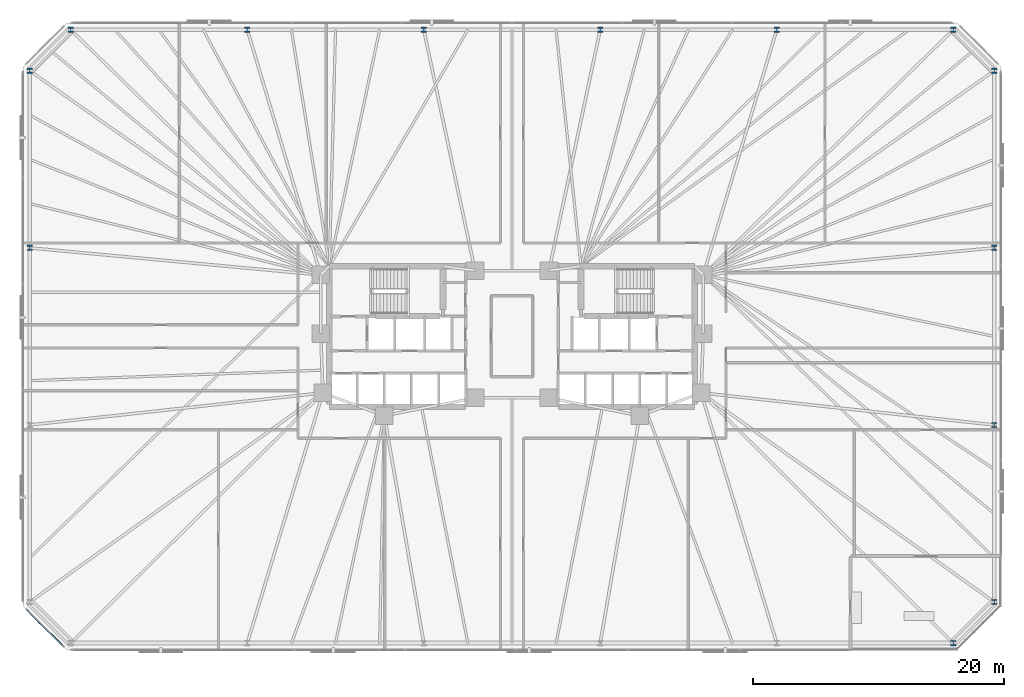
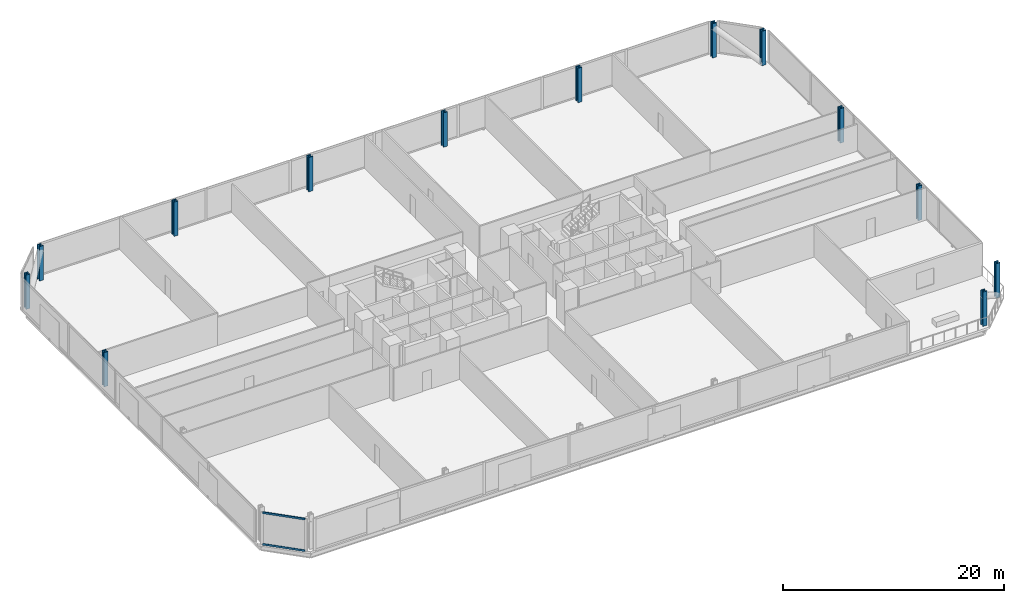
# One storey, part 5 of 17: 13 columns, 2 members, 1 element without a shape of its own.
"""IFC4 building model written with IfcOpenShell, lengths in metres."""

from ifc_helpers import new_model, si_unit, direction, frame, origin, origin_2d, place, context, subcontext, project, spatial, rectangle, i_section, extrude, material, material_profile, profile_set, type_object, element, aggregate, save


model = new_model("IFC4")

# Units and contexts
model_context = context("Model", 3, precision=1e-05, world=origin(), true_north=direction((0.0, 1.0)))
body_context = subcontext(model_context, "Body", "Model", "MODEL_VIEW")
ifc_project = project(units=[si_unit("LENGTHUNIT", "METRE"), si_unit("AREAUNIT", "SQUARE_METRE"), si_unit("VOLUMEUNIT", "CUBIC_METRE"), si_unit("PLANEANGLEUNIT", "RADIAN"), si_unit("MASSUNIT", "GRAM", prefix="KILO")], contexts=[model_context])

# Site, building, storey
site_placement = place(None, origin())
site = spatial("IfcSite", under=ifc_project, at=site_placement, CompositionType="ELEMENT")
building_placement = place(site_placement, origin())
building = spatial("IfcBuilding", under=site, at=building_placement, Name="Menara Jurai Vektor", CompositionType="ELEMENT")
storey_placement = place(building_placement, frame((0.0, 0.0, 44.60009765625)))
storey = spatial("IfcBuildingStorey", under=building, at=storey_placement, Name="L10", CompositionType="ELEMENT", Elevation=44.60009765625)

# Columns
ifc_material_1 = material(Name="Steel S460", Category="steel")
ifc_material_profile_1 = material_profile(ifc_material_1, i_section(OverallWidth=0.419921875, OverallDepth=0.430908203125, WebThickness=0.06494140625, FlangeThickness=0.10595703125, FilletRadius=0.014892578125, at=origin_2d()), Name="HD 400x900")
ifc_profile_set_1 = profile_set([ifc_material_profile_1], Name="Steel S460")
column_type = type_object("IfcColumnType", Name="STR-EXO-BLK1", PredefinedType="COLUMN", material=ifc_profile_set_1)
for number, where, z_axis, x_axis, name in (
    (1, (35.177734375, -24.449951171875, 0.0), (0.0, 0.0, 1.0), (1.0, 0.0, 0.0), "Exoskeleton Column BLK1-S6 L10"),
    (2, (38.449951171875, -21.177734375, 0.0), (0.0, 0.0, 1.0), (1.0, 0.0, 0.0), "Exoskeleton Column BLK1-E1 L10"),
    (3, (38.449951171875, -7.059326171875, 0.0), (0.0, 0.0, 1.0), (1.0, 0.0, 0.0), "Exoskeleton Column BLK1-E2 L10"),
    (4, (38.449951171875, 7.059326171875, 0.0), (0.0, 0.0, 1.0), (1.0, 0.0, 0.0), "Exoskeleton Column BLK1-E3 L10"),
    (5, (38.449951171875, 21.177734375, 0.0), (0.0, 0.0, 1.0), (1.0, 0.0, 0.0), "Exoskeleton Column BLK1-E4 L10"),
    (6, (35.177734375, 24.449951171875, 0.0), (0.0, 0.0, 1.0), (1.0, 0.0, 0.0), "Exoskeleton Column BLK1-N1 L10"),
    (7, (21.106689453125, 24.449951171875, 0.0), (0.0, 0.0, 1.0), (1.0, 0.0, 0.0), "Exoskeleton Column BLK1-N2 L10"),
    (8, (7.03564453125, 24.449951171875, 0.0), (0.0, 0.0, 1.0), (1.0, 0.0, 0.0), "Exoskeleton Column BLK1-N3 L10"),
    (9, (-7.03564453125, 24.449951171875, 0.0), (0.0, 0.0, 1.0), (1.0, 0.0, 0.0), "Exoskeleton Column BLK1-N4 L10"),
    (10, (-21.106689453125, 24.449951171875, 0.0), (0.0, 0.0, 1.0), (1.0, 0.0, 0.0), "Exoskeleton Column BLK1-N5 L10"),
    (11, (-35.177734375, 24.449951171875, 0.0), (0.0, 0.0, 1.0), (1.0, 0.0, 0.0), "Exoskeleton Column BLK1-N6 L10"),
    (12, (-38.449951171875, 21.177734375, 0.0), (0.0, 0.0, 1.0), (1.0, 0.0, 0.0), "Exoskeleton Column BLK1-W1 L10"),
    (13, (-38.449951171875, 7.059326171875, 0.0), (0.0, 0.0, 1.0), (1.0, 0.0, 0.0), "Exoskeleton Column BLK1-W2 L10"),
):
    element("IfcColumn", number, at=place(storey_placement, frame(where, z_axis=z_axis, x_axis=x_axis)), inside=storey, type_object=column_type, Name=name, PredefinedType="COLUMN", context=body_context, shape_type="SweptSolid", body=[
        extrude(i_section(OverallWidth=0.419921875, OverallDepth=0.430908203125, WebThickness=0.06494140625, FlangeThickness=0.10595703125, FilletRadius=0.014892578125, at=origin_2d()), origin(), (0.0, 0.0, 1.0), 3.7998046875),
    ])

# Curtain wall, members
ifc_material_2 = material(Name="Anodised Pale Aluminium & Low-E Double Glazing", Category="aluminium")
curtain_wall_type = type_object("IfcCurtainWallType", Name="CW-BLK1", PredefinedType="NOTDEFINED", material=ifc_material_2)
curtain_wall_placement = place(storey_placement, origin())
curtain_wall = element("IfcCurtainWall", 14, at=curtain_wall_placement, inside=storey, type_object=curtain_wall_type, Name="Unitised Curtain Wall L10 F08", PredefinedType="NOTDEFINED")
ifc_material_3 = material(Name="Anodised Pale Aluminium Transom", Category="aluminium")
ifc_material_profile_2 = material_profile(ifc_material_3, rectangle(XDim=0.094970703125, YDim=0.199951171875, at=origin_2d()), Name="ALU TRN 95x200")
ifc_profile_set_2 = profile_set([ifc_material_profile_2], Name="Anodised Pale Aluminium Transom")
member_type = type_object("IfcMemberType", Name="CW-BLK1-TRN", PredefinedType="USERDEFINED", material=ifc_profile_set_2)
member_1_placement = place(storey_placement, frame((-38.6640625, -21.8359375, 0.04736328125), z_axis=(0.707106781187, -0.707106781187, 0.0), x_axis=(0.707106781187, 0.707106781187, 0.0)))
member_1 = element("IfcMember", 15, at=member_1_placement, type_object=member_type, Name="CW-01 transom 1.1", ObjectType="TRANSOM", PredefinedType="USERDEFINED", context=body_context, shape_type="SweptSolid", body=[
    extrude(rectangle(XDim=0.094970703125, YDim=0.199951171875, at=origin_2d()), origin(), (0.0, 0.0, 1.0), 3.99951171875),
])
member_2_placement = place(storey_placement, frame((-38.6640625, -21.8359375, 3.52734375), z_axis=(0.707106781187, -0.707106781187, 0.0), x_axis=(0.707106781187, 0.707106781187, 0.0)))
member_2 = element("IfcMember", 16, at=member_2_placement, type_object=member_type, Name="CW-01 transom 1.2", ObjectType="TRANSOM", PredefinedType="USERDEFINED", context=body_context, shape_type="SweptSolid", body=[
    extrude(rectangle(XDim=0.094970703125, YDim=0.199951171875, at=origin_2d()), origin(), (0.0, 0.0, 1.0), 3.99951171875),
])
aggregate(curtain_wall, [member_1, member_2])

save(model, "model.ifc")
